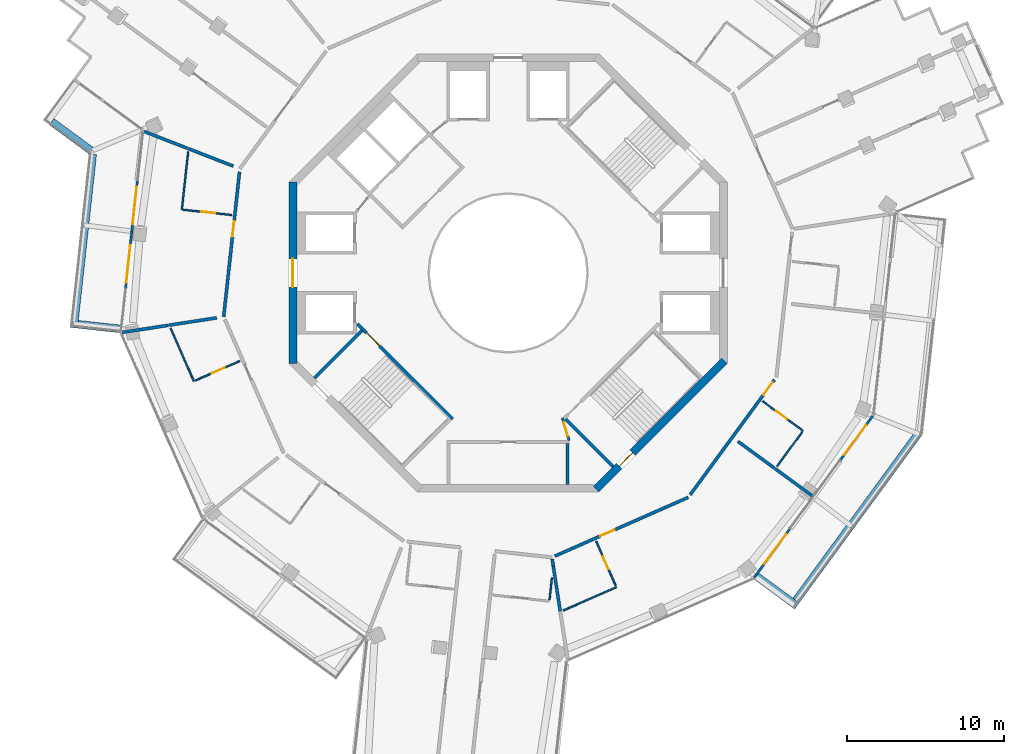
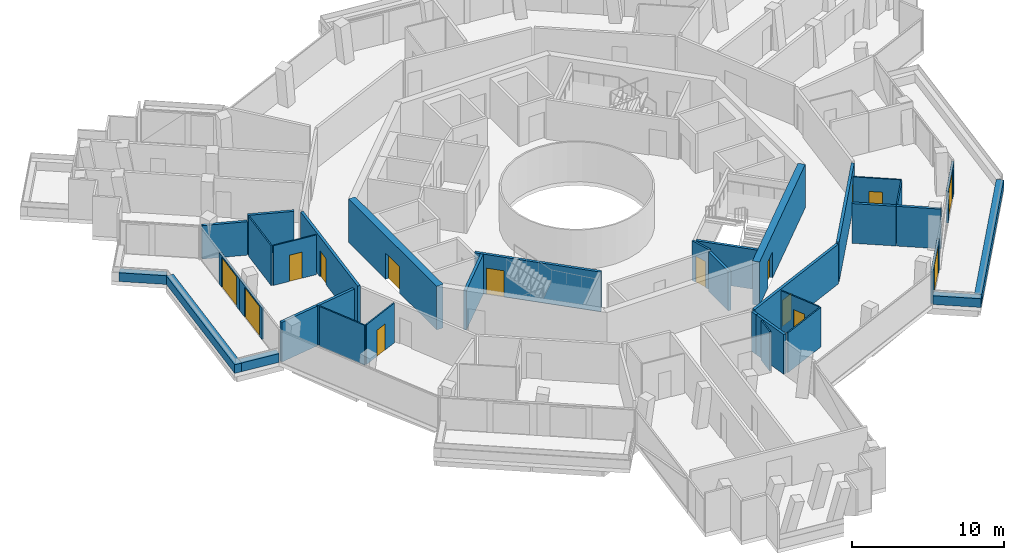
# One storey, part 16 of 22: 36 walls, 15 doors, 15 openings.
"""IFC4 building model written with IfcOpenShell, lengths in metres."""

import ifcopenshell
import ifcopenshell.guid

model = None  # the IFC model being written
_history = None  # IfcOwnerHistory: only IFC2X3 demands one
_inside = {}  # id of a spatial element -> (the spatial element, [elements in it])
_under = {}  # id of a project, library or spatial element -> (it, [spatial elements below it])
_declared = {}  # id of a project -> (the project, [libraries it declares])
_typed = {}  # id of a type object -> (the type object, [elements of that type])
_made_of = {}  # id of a material, layer set ... -> (it, [elements and type objects made of it])


def new_model(schema):
    """Start an empty IFC model of exactly this schema.

    Asked for "IFC4X3", IfcOpenShell would pick the latest addendum, in which some entities
    have other attributes; the version numbers below select the first issue.
    IFC2X3 requires an IfcOwnerHistory on every rooted entity: one is made here for all.
    """
    global model, _history
    if schema == "IFC4X3":
        model = ifcopenshell.file(schema_version=(4, 3, 0, 0))
    else:
        model = ifcopenshell.file(schema=schema)
    _inside.clear()
    _under.clear()
    _declared.clear()
    _typed.clear()
    _made_of.clear()
    _history = None
    if model.schema == "IFC2X3":
        org = make("IfcOrganization", Name="unknown")
        user = make(
            "IfcPersonAndOrganization",
            ThePerson=make("IfcPerson", FamilyName="unknown"),
            TheOrganization=org,
        )
        app = make(
            "IfcApplication",
            ApplicationDeveloper=org,
            Version="unknown",
            ApplicationFullName="unknown",
            ApplicationIdentifier="unknown",
        )
        _history = make(
            "IfcOwnerHistory",
            OwningUser=user,
            OwningApplication=app,
            ChangeAction="ADDED",
            CreationDate=0,
        )
    return model


def make(cls, **values):
    """One entity of the class cls with the attributes given. An attribute that is None is left unset."""
    return model.create_entity(
        cls, **{name: value for name, value in values.items() if value is not None}
    )


def rooted(cls, **values):
    """An entity with a GlobalId (a new one), such as an element, a storey or a relation."""
    return make(cls, GlobalId=ifcopenshell.guid.new(), OwnerHistory=_history, **values)


def si_unit(unit_type, name, prefix=None):
    """IfcSIUnit, for example si_unit("LENGTHUNIT", "METRE", prefix="MILLI")."""
    return make("IfcSIUnit", UnitType=unit_type, Prefix=prefix, Name=name)


def assignment(units):
    """IfcUnitAssignment: the units of a project."""
    return None if units is None else make("IfcUnitAssignment", Units=units)


def point(xyz):
    """IfcCartesianPoint."""
    return None if xyz is None else make("IfcCartesianPoint", Coordinates=xyz)


def direction(xyz):
    """IfcDirection."""
    return None if xyz is None else make("IfcDirection", DirectionRatios=xyz)


def frame(location, z_axis=None, x_axis=None):
    """IfcAxis2Placement3D, a coordinate frame: its origin and axes. An axis left out is left unset."""
    return make(
        "IfcAxis2Placement3D",
        Location=point(location),
        Axis=direction(z_axis),
        RefDirection=direction(x_axis),
    )


def frame_2d(location, x_axis=None):
    """IfcAxis2Placement2D, a coordinate frame in the plane: its origin and x axis."""
    return make(
        "IfcAxis2Placement2D", Location=point(location), RefDirection=direction(x_axis)
    )


def origin():
    """The frame at (0, 0, 0) with its axes left unset."""
    return frame((0.0, 0.0, 0.0))


def place(relative_to, where):
    """IfcLocalPlacement: puts the frame where relative to a parent placement (None: the world)."""
    return make(
        "IfcLocalPlacement", PlacementRelTo=relative_to, RelativePlacement=where
    )


def context(
    kind, dimensions, precision=None, world=None, true_north=None, identifier=None
):
    """IfcGeometricRepresentationContext, for example the 3D "Model" context."""
    return make(
        "IfcGeometricRepresentationContext",
        ContextIdentifier=identifier,
        ContextType=kind,
        CoordinateSpaceDimension=dimensions,
        Precision=precision,
        WorldCoordinateSystem=world,
        TrueNorth=true_north,
    )


def subcontext(parent, identifier, kind, view, scale=None):
    """IfcGeometricRepresentationSubContext, for example "Body" below "Model"."""
    return make(
        "IfcGeometricRepresentationSubContext",
        ContextIdentifier=identifier,
        ContextType=kind,
        ParentContext=parent,
        TargetScale=scale,
        TargetView=view,
    )


def project(units=None, contexts=None):
    """IfcProject with its units and contexts."""
    return rooted(
        "IfcProject",
        Name="project",
        RepresentationContexts=contexts,
        UnitsInContext=assignment(units),
    )


def spatial(cls, under=None, at=None, **own):
    """A site, building, storey or space (cls), placed at a placement, below another one or the project."""
    s = rooted(cls, ObjectPlacement=at, **own)
    if under is not None:
        _under.setdefault(under.id(), (under, []))[1].append(s)
    return s


def profile(cls, at=None, kind="AREA", **sizes):
    """A parametric profile (cls). Its sizes go by their IFC names, for example OverallWidth=200.0."""
    return make(cls, ProfileType=kind, Position=at, **sizes)


def rectangle(**sizes):
    """IfcRectangleProfileDef."""
    return profile("IfcRectangleProfileDef", **sizes)


def extrude(swept, where, along, depth):
    """IfcExtrudedAreaSolid: the profile swept, set in the frame where, extruded along a direction by depth."""
    return make(
        "IfcExtrudedAreaSolid",
        SweptArea=swept,
        Position=where,
        ExtrudedDirection=direction(along),
        Depth=depth,
    )


def shape(context_of_items, identifier, shape_type, items):
    """IfcShapeRepresentation: the items that make up one representation, for example the "Body"."""
    return make(
        "IfcShapeRepresentation",
        ContextOfItems=context_of_items,
        RepresentationIdentifier=identifier,
        RepresentationType=shape_type,
        Items=items,
    )


def material(Name=None, Category=None):
    """IfcMaterial."""
    return make("IfcMaterial", Name=Name, Category=Category)


def layer(
    of_material, thickness, ventilated=None, Name=None, Category=None, Priority=None
):
    """IfcMaterialLayer: one layer of a wall or slab, of a material (None: an air gap)."""
    return make(
        "IfcMaterialLayer",
        Material=of_material,
        LayerThickness=thickness,
        IsVentilated=ventilated,
        Name=Name,
        Category=Category,
        Priority=Priority,
    )


def layer_set(layers, Name=None):
    """IfcMaterialLayerSet."""
    return make("IfcMaterialLayerSet", MaterialLayers=layers, LayerSetName=Name)


def made_of(thing, what):
    """Note that an element or type object is made of a material, layer set ...; save() writes the relation."""
    if what is not None:
        _made_of.setdefault(what.id(), (what, []))[1].append(thing)
    return thing


def type_object(cls, material=None, **own):
    """A type object (cls), such as IfcWallType, which elements share."""
    return made_of(rooted(cls, **own), material)


def element(
    cls,
    number,
    at=None,
    inside=None,
    cuts=None,
    type_object=None,
    material=None,
    context=None,
    identifier="Body",
    shape_type=None,
    held_by="IfcProductDefinitionShape",
    body=None,
    shapes=None,
    **own,
):
    """One element of the class cls, such as IfcWall. Its Tag is "e" and its number.

    at: its placement. inside: the storey or other place that contains it. cuts: it is an
    opening in that element (IfcRelVoidsElement). A single representation is given by context,
    identifier, shape_type and body (its items); several are given by shapes. held_by: the class
    of the entity that holds the representations. save() writes the other relations.
    """
    e = rooted(cls, Tag="e%d" % number, ObjectPlacement=at, **own)
    if body is not None:
        shapes = [shape(context, identifier, shape_type, body)]
    if shapes is not None:
        e.Representation = make(held_by, Representations=shapes)
    if inside is not None:
        _inside.setdefault(inside.id(), (inside, []))[1].append(e)
    if cuts is not None:
        rooted(
            "IfcRelVoidsElement", RelatingBuildingElement=cuts, RelatedOpeningElement=e
        )
    if type_object is not None:
        _typed.setdefault(type_object.id(), (type_object, []))[1].append(e)
    return made_of(e, material)


def fill(opening, filler):
    """IfcRelFillsElement: the door or window that sits in an opening."""
    return rooted(
        "IfcRelFillsElement",
        RelatingOpeningElement=opening,
        RelatedBuildingElement=filler,
    )


def aggregate(whole, parts):
    """IfcRelAggregates: a whole, such as a stair, and the parts it consists of."""
    return rooted("IfcRelAggregates", RelatingObject=whole, RelatedObjects=parts)


def save(model, path):
    """Write the relations noted so far, then the file.

    IfcRelAggregates (storeys below a building ...), IfcRelContainedInSpatialStructure (elements
    in a storey), IfcRelDefinesByType, IfcRelAssociatesMaterial and IfcRelDeclares: one each for
    every whole, place, type object, material and project.
    """
    for whole, parts in _under.values():
        aggregate(whole, parts)
    for where, things in _inside.values():
        rooted(
            "IfcRelContainedInSpatialStructure",
            RelatedElements=things,
            RelatingStructure=where,
        )
    for kind, things in _typed.values():
        rooted("IfcRelDefinesByType", RelatedObjects=things, RelatingType=kind)
    for what, things in _made_of.values():
        rooted("IfcRelAssociatesMaterial", RelatedObjects=things, RelatingMaterial=what)
    for by, libraries in _declared.values():
        rooted("IfcRelDeclares", RelatingContext=by, RelatedDefinitions=libraries)
    model.write(path)


model = new_model("IFC4")

# Units and contexts
model_context = context("Model", 3, precision=1e-05, world=origin(), true_north=direction((0.0, 1.0)))
body_context = subcontext(model_context, "Body", "Model", "MODEL_VIEW")
ifc_project = project(units=[si_unit("LENGTHUNIT", "METRE"), si_unit("AREAUNIT", "SQUARE_METRE"), si_unit("VOLUMEUNIT", "CUBIC_METRE"), si_unit("PLANEANGLEUNIT", "RADIAN"), si_unit("MASSUNIT", "GRAM", prefix="KILO")], contexts=[model_context])

# Site, building, storey
site_placement = place(None, origin())
site = spatial("IfcSite", under=ifc_project, at=site_placement, CompositionType="ELEMENT")
building_placement = place(site_placement, origin())
building = spatial("IfcBuilding", under=site, at=building_placement, Name="Verdalira Terraces Hotel", CompositionType="ELEMENT")
storey_placement = place(building_placement, frame((0.0, 0.0, 252.5)))
storey = spatial("IfcBuildingStorey", under=building, at=storey_placement, Name="L62", CompositionType="ELEMENT", Elevation=252.5)

# Walls
ifc_material_1 = material(Name="Concrete C40", Category="concrete")
ifc_layer_1 = layer(ifc_material_1, 0.5)
ifc_layer_set_1 = layer_set([ifc_layer_1], Name="Balcony planter trough with tree")
wall_type_1 = type_object("IfcWallType", Name="Balcony planter trough with tree", PredefinedType="SOLIDWALL", material=ifc_layer_set_1)
wall_1_placement = place(storey_placement, frame((-29.166016, 9.661133, 0.0), z_axis=(0.0, 0.0, 1.0), x_axis=(0.806524032, -0.591201307, 0.0)))
element("IfcWall", 1, at=wall_1_placement, inside=storey, type_object=wall_type_1, Name="Balcony planter", PredefinedType="SOLIDWALL", context=body_context, shape_type="SweptSolid", body=[
    extrude(rectangle(XDim=3.129395, YDim=0.5, at=frame_2d((1.564697, 0.0))), origin(), (0.0, 0.0, 1.0), 0.699951),
])
wall_2_placement = place(storey_placement, frame((-26.541504, 7.582275, 0.0), z_axis=(0.0, 0.0, 1.0), x_axis=(-0.108689411, -0.994075758, 0.0)))
element("IfcWall", 2, at=wall_2_placement, inside=storey, type_object=wall_type_1, Name="Balcony planter", PredefinedType="SOLIDWALL", context=body_context, shape_type="SweptSolid", body=[
    extrude(rectangle(XDim=11.152588, YDim=0.5, at=frame_2d((5.576172, 0.0))), origin(), (0.0, 0.0, 1.0), 0.699951),
])
wall_3_placement = place(storey_placement, frame((-27.478027, -3.282715, 0.0), z_axis=(0.0, 0.0, 1.0), x_axis=(0.994071997, -0.108723798, 0.0)))
element("IfcWall", 3, at=wall_3_placement, inside=storey, type_object=wall_type_1, Name="Balcony planter", PredefinedType="SOLIDWALL", context=body_context, shape_type="SweptSolid", body=[
    extrude(rectangle(XDim=2.699219, YDim=0.5, at=frame_2d((1.349609, 0.0))), origin(), (0.0, 0.0, 1.0), 0.699951),
])
wall_4_placement = place(storey_placement, frame((15.871582, -19.382324, 0.0), z_axis=(0.0, 0.0, 1.0), x_axis=(0.806545701, -0.591171745, 0.0)))
element("IfcWall", 4, at=wall_4_placement, inside=storey, type_object=wall_type_1, Name="Balcony planter", PredefinedType="SOLIDWALL", context=body_context, shape_type="SweptSolid", body=[
    extrude(rectangle(XDim=3.198975, YDim=0.5, at=frame_2d((1.599609, 0.0))), origin(), (0.0, 0.0, 1.0), 0.699951),
])
wall_5_placement = place(storey_placement, frame((18.397705, -20.924072, 0.0), z_axis=(0.0, 0.0, 1.0), x_axis=(0.591166749, 0.806549363, 0.0)))
element("IfcWall", 5, at=wall_5_placement, inside=storey, type_object=wall_type_1, Name="Balcony planter", PredefinedType="SOLIDWALL", context=body_context, shape_type="SweptSolid", body=[
    extrude(rectangle(XDim=13.223633, YDim=0.5, at=frame_2d((6.611816, 0.0))), origin(), (0.0, 0.0, 1.0), 0.699951),
])
ifc_material_2 = material(Name="Moisture-resistant gypsum board partition")
ifc_layer_2 = layer(ifc_material_2, 0.10009765625)
ifc_layer_set_2 = layer_set([ifc_layer_2], Name="Bathroom partition 100 mm")
wall_type_2 = type_object("IfcWallType", Name="Bathroom partition 100 mm", PredefinedType="PARTITIONING", material=ifc_layer_set_2)
for number, where, z_axis, x_axis, name in (
    (6, (-20.073486, -6.915527, 0.0), (0.0, 0.0, 1.0), (-0.402913103, 0.915238238, 0.0), "Bathroom partition"),
    (7, (-20.841797, 4.047607, 0.0), (0.0, 0.0, 1.0), (0.108687919, 0.994075921, 0.0), "Bathroom partition"),
):
    element("IfcWall", number, at=place(storey_placement, frame(where, z_axis=z_axis, x_axis=x_axis)), inside=storey, type_object=wall_type_2, Name=name, PredefinedType="PARTITIONING", context=body_context, shape_type="SweptSolid", body=[
        extrude(rectangle(XDim=3.704102, YDim=0.100098, at=frame_2d((1.852051, 0.0))), origin(), (0.0, 0.0, 1.0), 3.189941),
    ])

# Wall, opening, door
wall_6_placement = place(storey_placement, frame((-20.742432, 4.036865, 0.0), z_axis=(0.0, 0.0, 1.0), x_axis=(0.994076213, -0.108685246, 0.0)))
wall_6 = element("IfcWall", 8, at=wall_6_placement, inside=storey, type_object=wall_type_2, Name="Bathroom partition", PredefinedType="PARTITIONING", context=body_context, shape_type="SweptSolid", body=[
    extrude(rectangle(XDim=3.099854, YDim=0.100098, at=frame_2d((1.549805, 0.0))), origin(), (0.0, 0.0, 1.0), 3.189941),
])
opening_1_placement = place(wall_6_placement, frame((1.149902, 0.0, 0.0)))
opening_1 = element("IfcOpeningElement", 9, at=opening_1_placement, cuts=wall_6, Name="Opening L62-105", PredefinedType="OPENING", context=body_context, shape_type="SweptSolid", body=[
    extrude(rectangle(XDim=0.899902, YDim=2.100098, at=frame_2d((0.449951, 1.050049))), frame((0.0, 0.060059, 0.0), z_axis=(0.0, -1.0, 0.0), x_axis=(1.0, 0.0, 0.0)), (0.0, 0.0, 1.0), 0.120117),
])
ifc_material_3 = material(Name="Timber door", Category="wood")
door_type_1 = type_object("IfcDoorType", Name="Bathroom door 900 x 2100", OperationType="NOTDEFINED", PredefinedType="DOOR", material=ifc_material_3)
door_1_placement = place(opening_1_placement, origin())
door_1 = element("IfcDoor", 10, at=door_1_placement, inside=storey, type_object=door_type_1, Name="Bathroom door 6202", OperationType="SINGLE_SWING_LEFT", OverallHeight=2.10009765625, OverallWidth=0.89990234375, PredefinedType="DOOR", context=body_context, shape_type="SweptSolid", body=[
    extrude(rectangle(XDim=0.899902, YDim=2.100098, at=frame_2d((0.449951, 1.050049))), frame((0.0, 0.024902, 0.0), z_axis=(0.0, -1.0, 0.0), x_axis=(1.0, 0.0, 0.0)), (0.0, 0.0, 1.0), 0.050049),
])
fill(opening_1, door_1)

wall_7_placement = place(storey_placement, frame((-19.981934, -6.875244, 0.0), z_axis=(0.0, 0.0, 1.0), x_axis=(0.915247669, 0.402891678, 0.0)))
wall_7 = element("IfcWall", 11, at=wall_7_placement, inside=storey, type_object=wall_type_2, Name="Bathroom partition", PredefinedType="PARTITIONING", context=body_context, shape_type="SweptSolid", body=[
    extrude(rectangle(XDim=3.100098, YDim=0.100098, at=frame_2d((1.550049, 0.0))), origin(), (0.0, 0.0, 1.0), 3.189941),
])
opening_2_placement = place(wall_7_placement, frame((1.149902, 0.0, 0.0)))
opening_2 = element("IfcOpeningElement", 12, at=opening_2_placement, cuts=wall_7, Name="Opening L62-107", PredefinedType="OPENING", context=body_context, shape_type="SweptSolid", body=[
    extrude(rectangle(XDim=0.899902, YDim=2.100098, at=frame_2d((0.449951, 1.050049))), frame((0.0, 0.060059, 0.0), z_axis=(0.0, -1.0, 0.0), x_axis=(1.0, 0.0, 0.0)), (0.0, 0.0, 1.0), 0.120117),
])
door_2_placement = place(opening_2_placement, origin())
door_2 = element("IfcDoor", 13, at=door_2_placement, inside=storey, type_object=door_type_1, Name="Bathroom door 6203", OperationType="SINGLE_SWING_LEFT", OverallHeight=2.10009765625, OverallWidth=0.89990234375, PredefinedType="DOOR", context=body_context, shape_type="SweptSolid", body=[
    extrude(rectangle(XDim=0.899902, YDim=2.100098, at=frame_2d((0.449951, 1.050049))), frame((0.0, 0.024902, 0.0), z_axis=(0.0, -1.0, 0.0), x_axis=(1.0, 0.0, 0.0)), (0.0, 0.0, 1.0), 0.050049),
])
fill(opening_2, door_2)

# Walls
wall_8_placement = place(storey_placement, frame((2.799316, -19.479492, 0.0), z_axis=(0.0, 0.0, 1.0), x_axis=(-0.108764329, -0.994067563, 0.0)))
element("IfcWall", 14, at=wall_8_placement, inside=storey, type_object=wall_type_2, Name="Bathroom partition", PredefinedType="PARTITIONING", context=body_context, shape_type="SweptSolid", body=[
    extrude(rectangle(XDim=1.398438, YDim=0.100098, at=frame_2d((0.699219, 0.0))), origin(), (0.0, 0.0, 1.0), 3.189941),
])
wall_9_placement = place(storey_placement, frame((6.915527, -20.073486, 0.0), z_axis=(0.0, 0.0, 1.0), x_axis=(-0.915238238, -0.402913103, 0.0)))
element("IfcWall", 15, at=wall_9_placement, inside=storey, type_object=wall_type_2, Name="Bathroom partition", PredefinedType="PARTITIONING", context=body_context, shape_type="SweptSolid", body=[
    extrude(rectangle(XDim=3.704102, YDim=0.100098, at=frame_2d((1.852051, 0.0))), origin(), (0.0, 0.0, 1.0), 3.189941),
])

# Wall, opening, door
wall_10_placement = place(storey_placement, frame((6.875244, -19.981934, 0.0), z_axis=(0.0, 0.0, 1.0), x_axis=(-0.402891678, 0.915247669, 0.0)))
wall_10 = element("IfcWall", 16, at=wall_10_placement, inside=storey, type_object=wall_type_2, Name="Bathroom partition", PredefinedType="PARTITIONING", context=body_context, shape_type="SweptSolid", body=[
    extrude(rectangle(XDim=3.100098, YDim=0.100098, at=frame_2d((1.550049, 0.0))), origin(), (0.0, 0.0, 1.0), 3.189941),
])
opening_3_placement = place(wall_10_placement, frame((1.149902, 0.0, 0.0)))
opening_3 = element("IfcOpeningElement", 17, at=opening_3_placement, cuts=wall_10, Name="Opening L62-115", PredefinedType="OPENING", context=body_context, shape_type="SweptSolid", body=[
    extrude(rectangle(XDim=0.899902, YDim=2.100098, at=frame_2d((0.449951, 1.050049))), frame((0.0, 0.060059, 0.0), z_axis=(0.0, -1.0, 0.0), x_axis=(1.0, 0.0, 0.0)), (0.0, 0.0, 1.0), 0.120117),
])
door_3_placement = place(opening_3_placement, origin())
door_3 = element("IfcDoor", 18, at=door_3_placement, inside=storey, type_object=door_type_1, Name="Bathroom door 6207", OperationType="SINGLE_SWING_LEFT", OverallHeight=2.10009765625, OverallWidth=0.89990234375, PredefinedType="DOOR", context=body_context, shape_type="SweptSolid", body=[
    extrude(rectangle(XDim=0.899902, YDim=2.100098, at=frame_2d((0.449951, 1.050049))), frame((0.0, 0.024902, 0.0), z_axis=(0.0, -1.0, 0.0), x_axis=(1.0, 0.0, 0.0)), (0.0, 0.0, 1.0), 0.050049),
])
fill(opening_3, door_3)

wall_11_placement = place(storey_placement, frame((18.838623, -10.088379, 0.0), z_axis=(0.0, 0.0, 1.0), x_axis=(-0.806552937, 0.591161873, 0.0)))
wall_11 = element("IfcWall", 19, at=wall_11_placement, inside=storey, type_object=wall_type_2, Name="Bathroom partition", PredefinedType="PARTITIONING", context=body_context, shape_type="SweptSolid", body=[
    extrude(rectangle(XDim=3.199707, YDim=0.100098, at=frame_2d((1.599854, 0.0))), origin(), (0.0, 0.0, 1.0), 3.189941),
])
opening_4_placement = place(wall_11_placement, frame((1.25, 0.0, 0.0)))
opening_4 = element("IfcOpeningElement", 20, at=opening_4_placement, cuts=wall_11, Name="Opening L62-117", PredefinedType="OPENING", context=body_context, shape_type="SweptSolid", body=[
    extrude(rectangle(XDim=0.899902, YDim=2.100098, at=frame_2d((0.449951, 1.050049))), frame((0.0, 0.060059, 0.0), z_axis=(0.0, -1.0, 0.0), x_axis=(1.0, 0.0, 0.0)), (0.0, 0.0, 1.0), 0.120117),
])
door_4_placement = place(opening_4_placement, origin())
door_4 = element("IfcDoor", 21, at=door_4_placement, inside=storey, type_object=door_type_1, Name="Bathroom door 6208", OperationType="SINGLE_SWING_LEFT", OverallHeight=2.10009765625, OverallWidth=0.89990234375, PredefinedType="DOOR", context=body_context, shape_type="SweptSolid", body=[
    extrude(rectangle(XDim=0.899902, YDim=2.100098, at=frame_2d((0.449951, 1.050049))), frame((0.0, 0.024902, 0.0), z_axis=(0.0, -1.0, 0.0), x_axis=(1.0, 0.0, 0.0)), (0.0, 0.0, 1.0), 0.050049),
])
fill(opening_4, door_4)

# Walls
wall_12_placement = place(storey_placement, frame((18.779541, -10.169189, 0.0), z_axis=(0.0, 0.0, 1.0), x_axis=(-0.591210764, -0.8065171, 0.0)))
element("IfcWall", 22, at=wall_12_placement, inside=storey, type_object=wall_type_2, Name="Bathroom partition", PredefinedType="PARTITIONING", context=body_context, shape_type="SweptSolid", body=[
    extrude(rectangle(XDim=2.699951, YDim=0.100098, at=frame_2d((1.350098, 0.0))), origin(), (0.0, 0.0, 1.0), 3.189941),
])
ifc_material_4 = material(Name="Concrete C50", Category="concrete")
ifc_layer_3 = layer(ifc_material_4, 0.199951171875)
ifc_layer_set_3 = layer_set([ifc_layer_3], Name="Core RC wall 200 C50")
wall_type_3 = type_object("IfcWallType", Name="Core RC wall 200 C50", PredefinedType="SOLIDWALL", material=ifc_layer_set_3)
wall_13_placement = place(storey_placement, frame((3.800049, -10.899902, 0.0), z_axis=(0.0, 0.0, 1.0), x_axis=(0.0, -1.0, 0.0)))
element("IfcWall", 23, at=wall_13_placement, inside=storey, type_object=wall_type_3, Name="L62 store side wall", PredefinedType="SOLIDWALL", context=body_context, shape_type="SweptSolid", body=[
    extrude(rectangle(XDim=2.600098, YDim=0.199951, at=frame_2d((1.300049, 0.0))), origin(), (0.0, 0.0, 1.0), 3.189941),
])

# Wall, opening, door
wall_14_placement = place(storey_placement, frame((-3.5354, -9.33374, 0.0), z_axis=(0.0, 0.0, 1.0), x_axis=(-0.707120946, 0.707092617, 0.0)))
wall_14 = element("IfcWall", 24, at=wall_14_placement, inside=storey, type_object=wall_type_3, Name="L62 stair ST2 front wall", PredefinedType="SOLIDWALL", context=body_context, shape_type="SweptSolid", body=[
    extrude(rectangle(XDim=8.61792, YDim=0.199951, at=frame_2d((4.309082, 0.0))), origin(), (0.0, 0.0, 1.0), 3.189941),
])
opening_5_placement = place(wall_14_placement, frame((6.600098, 0.0, 0.0)))
opening_5 = element("IfcOpeningElement", 25, at=opening_5_placement, cuts=wall_14, Name="Opening L62-811", PredefinedType="OPENING", context=body_context, shape_type="SweptSolid", body=[
    extrude(rectangle(XDim=1.199951, YDim=2.100098, at=frame_2d((0.600098, 1.050049))), frame((0.0, 0.109863, 0.0), z_axis=(0.0, -1.0, 0.0), x_axis=(1.0, 0.0, 0.0)), (0.0, 0.0, 1.0), 0.219971),
])
ifc_material_5 = material(Name="Steel fire door", Category="steel")
door_type_2 = type_object("IfcDoorType", Name="Stair door 1200 x 2100", OperationType="NOTDEFINED", PredefinedType="DOOR", material=ifc_material_5)
door_5_placement = place(opening_5_placement, origin())
door_5 = element("IfcDoor", 26, at=door_5_placement, inside=storey, type_object=door_type_2, Name="Stair door ST2 L62", OperationType="SINGLE_SWING_RIGHT", OverallHeight=2.10009765625, OverallWidth=1.199951171875, PredefinedType="DOOR", context=body_context, shape_type="SweptSolid", body=[
    extrude(rectangle(XDim=1.199951, YDim=2.100098, at=frame_2d((0.600098, 1.050049))), frame((0.0, 0.024902, 0.0), z_axis=(0.0, -1.0, 0.0), x_axis=(1.0, 0.0, 0.0)), (0.0, 0.0, 1.0), 0.050049),
])
fill(opening_5, door_5)

# Walls
for number, where, z_axis, x_axis, name in (
    (27, (-9.33374, -3.677002, 0.0), (0.0, 0.0, 1.0), (-0.707135168, -0.707078393, 0.0), "L62 stair ST2 end wall 1"),
    (28, (3.677002, -9.33374, 0.0), (0.0, 0.0, 1.0), (0.707078393, -0.707135168, 0.0), "L62 stair ST3 end wall 1"),
):
    element("IfcWall", number, at=place(storey_placement, frame(where, z_axis=z_axis, x_axis=x_axis)), inside=storey, type_object=wall_type_3, Name=name, PredefinedType="SOLIDWALL", context=body_context, shape_type="SweptSolid", body=[
        extrude(rectangle(XDim=4.300049, YDim=0.199951, at=frame_2d((2.149902, 0.0))), origin(), (0.0, 0.0, 1.0), 3.189941),
    ])

# Wall, opening, door
ifc_material_6 = material(Name="Gypsum board partition")
ifc_layer_4 = layer(ifc_material_6, 0.14990234375)
ifc_layer_set_4 = layer_set([ifc_layer_4], Name="Core partition 150 mm")
wall_type_4 = type_object("IfcWallType", Name="Core partition 150 mm", PredefinedType="PARTITIONING", material=ifc_layer_set_4)
wall_15_placement = place(storey_placement, frame((3.899902, -10.699951, 0.0), z_axis=(0.0, 0.0, 1.0), x_axis=(-0.289808785, 0.957084567, 0.0)))
wall_15 = element("IfcWall", 29, at=wall_15_placement, inside=storey, type_object=wall_type_4, Name="Room partition L62", PredefinedType="PARTITIONING", context=body_context, shape_type="SweptSolid", body=[
    extrude(rectangle(XDim=1.501221, YDim=0.149902, at=frame_2d((0.750488, 0.0))), origin(), (0.0, 0.0, 1.0), 3.189941),
])
opening_6_placement = place(wall_15_placement, frame((0.300781, 0.0, 0.0)))
opening_6 = element("IfcOpeningElement", 30, at=opening_6_placement, cuts=wall_15, Name="Opening L62-822", PredefinedType="OPENING", context=body_context, shape_type="SweptSolid", body=[
    extrude(rectangle(XDim=0.899902, YDim=2.100098, at=frame_2d((0.449951, 1.050049))), frame((0.0, 0.084961, 0.0), z_axis=(0.0, -1.0, 0.0), x_axis=(1.0, 0.0, 0.0)), (0.0, 0.0, 1.0), 0.169922),
])
ifc_material_7 = material(Name="Steel fire door", Category="steel")
door_type_3 = type_object("IfcDoorType", Name="Core room door 900 x 2100", OperationType="NOTDEFINED", PredefinedType="DOOR", material=ifc_material_7)
door_6_placement = place(opening_6_placement, origin())
door_6 = element("IfcDoor", 31, at=door_6_placement, inside=storey, type_object=door_type_3, Name="Door L62 room6", OperationType="SINGLE_SWING_LEFT", OverallHeight=2.10009765625, OverallWidth=0.89990234375, PredefinedType="DOOR", context=body_context, shape_type="SweptSolid", body=[
    extrude(rectangle(XDim=0.899902, YDim=2.100098, at=frame_2d((0.449951, 1.050049))), frame((0.0, 0.024902, 0.0), z_axis=(0.0, -1.0, 0.0), x_axis=(1.0, 0.0, 0.0)), (0.0, 0.0, 1.0), 0.050049),
])
fill(opening_6, door_6)

ifc_material_8 = material(Name="Concrete C50", Category="concrete")
ifc_layer_5 = layer(ifc_material_8, 0.5)
ifc_layer_set_5 = layer_set([ifc_layer_5], Name="Core wall 500 C50")
wall_type_5 = type_object("IfcWallType", Name="Core wall 500 C50", PredefinedType="SHEAR", material=ifc_layer_set_5)
wall_16_placement = place(storey_placement, frame((-13.75, 5.799072, 0.0), z_axis=(0.0, 0.0, 1.0), x_axis=(0.0, -1.0, 0.0)))
wall_16 = element("IfcWall", 32, at=wall_16_placement, inside=storey, type_object=wall_type_5, Name="Core wall CW-L62-5", PredefinedType="SHEAR", context=body_context, shape_type="SweptSolid", body=[
    extrude(rectangle(XDim=11.598145, YDim=0.5, at=frame_2d((5.799072, 0.0))), origin(), (0.0, 0.0, 1.0), 3.5),
])
opening_7_placement = place(wall_16_placement, frame((4.898926, 0.0, 0.0)))
opening_7 = element("IfcOpeningElement", 33, at=opening_7_placement, cuts=wall_16, Name="Opening L62-815", PredefinedType="OPENING", context=body_context, shape_type="SweptSolid", body=[
    extrude(rectangle(XDim=1.800049, YDim=2.100098, at=frame_2d((0.899902, 1.050049))), frame((0.0, 0.26001, 0.0), z_axis=(0.0, -1.0, 0.0), x_axis=(1.0, 0.0, 0.0)), (0.0, 0.0, 1.0), 0.52002),
])
ifc_material_9 = material(Name="Steel fire door", Category="steel")
door_type_4 = type_object("IfcDoorType", Name="Core entry door pair 1800 x 2100", OperationType="NOTDEFINED", PredefinedType="DOOR", material=ifc_material_9)
door_7_placement = place(opening_7_placement, origin())
door_7 = element("IfcDoor", 34, at=door_7_placement, inside=storey, type_object=door_type_4, Name="Core entry door L62 4", OperationType="DOUBLE_DOOR_SINGLE_SWING", OverallHeight=2.10009765625, OverallWidth=1.800048828125, PredefinedType="DOOR", context=body_context, shape_type="SweptSolid", body=[
    extrude(rectangle(XDim=1.800049, YDim=2.100098, at=frame_2d((0.899902, 1.050049))), frame((0.0, 0.024902, 0.0), z_axis=(0.0, -1.0, 0.0), x_axis=(1.0, 0.0, 0.0)), (0.0, 0.0, 1.0), 0.050049),
])
fill(opening_7, door_7)

wall_17_placement = place(storey_placement, frame((5.622314, -13.823242, 0.0), z_axis=(0.0, 0.0, 1.0), x_axis=(0.707106781, 0.707106781, 0.0)))
wall_17 = element("IfcWall", 35, at=wall_17_placement, inside=storey, type_object=wall_type_5, Name="Core wall CW-L62-8", PredefinedType="SHEAR", context=body_context, shape_type="SweptSolid", body=[
    extrude(rectangle(XDim=11.5979, YDim=0.5, at=frame_2d((5.798828, 0.0))), origin(), (0.0, 0.0, 1.0), 3.5),
])
opening_8_placement = place(wall_17_placement, frame((2.099121, 0.0, 0.0)))
opening_8 = element("IfcOpeningElement", 36, at=opening_8_placement, cuts=wall_17, Name="Opening L62-818", PredefinedType="OPENING", context=body_context, shape_type="SweptSolid", body=[
    extrude(rectangle(XDim=1.199951, YDim=2.100098, at=frame_2d((0.600098, 1.050049))), frame((0.0, 0.26001, 0.0), z_axis=(0.0, -1.0, 0.0), x_axis=(1.0, 0.0, 0.0)), (0.0, 0.0, 1.0), 0.52002),
])
door_8_placement = place(opening_8_placement, origin())
door_8 = element("IfcDoor", 37, at=door_8_placement, inside=storey, type_object=door_type_2, Name="Stair exit door ST3 L62", OperationType="SINGLE_SWING_LEFT", OverallHeight=2.10009765625, OverallWidth=1.199951171875, PredefinedType="DOOR", context=body_context, shape_type="SweptSolid", body=[
    extrude(rectangle(XDim=1.199951, YDim=2.100098, at=frame_2d((0.600098, 1.050049))), frame((0.0, 0.024902, 0.0), z_axis=(0.0, -1.0, 0.0), x_axis=(1.0, 0.0, 0.0)), (0.0, 0.0, 1.0), 0.050049),
])
fill(opening_8, door_8)

# Walls
ifc_material_10 = material(Name="Fire-rated gypsum board wall")
ifc_layer_6 = layer(ifc_material_10, 0.199951171875)
ifc_layer_set_6 = layer_set([ifc_layer_6], Name="Demising wall 200 mm")
wall_type_6 = type_object("IfcWallType", Name="Demising wall 200 mm", PredefinedType="SOLIDWALL", material=ifc_layer_set_6)
wall_18_placement = place(storey_placement, frame((-21.696533, -3.343262, 0.0), z_axis=(0.0, 0.0, 1.0), x_axis=(-0.988329484, -0.152331318, 0.0)))
element("IfcWall", 38, at=wall_18_placement, inside=storey, type_object=wall_type_6, Name="Demising wall", PredefinedType="SOLIDWALL", context=body_context, shape_type="SweptSolid", body=[
    extrude(rectangle(XDim=3.011475, YDim=0.199951, at=frame_2d((1.505859, 0.0))), origin(), (0.0, 0.0, 1.0), 3.189941),
])
for number, where, z_axis, x_axis, name in (
    (39, (-18.612305, -2.86792, 0.0), (0.0, 0.0, 1.0), (-0.98833495, -0.152295849, 0.0), "Demising wall"),
    (40, (-17.552734, 6.82251, 0.0), (0.0, 0.0, 1.0), (-0.932089582, 0.362227845, 0.0), "Demising wall"),
):
    element("IfcWall", number, at=place(storey_placement, frame(where, z_axis=z_axis, x_axis=x_axis)), inside=storey, type_object=wall_type_6, Name=name, PredefinedType="SOLIDWALL", context=body_context, shape_type="SweptSolid", body=[
        extrude(rectangle(XDim=3.074707, YDim=0.199951, at=frame_2d((1.537354, 0.0))), origin(), (0.0, 0.0, 1.0), 3.189941),
    ])
wall_19_placement = place(storey_placement, frame((2.815674, -18.272705, 0.0), z_axis=(0.0, 0.0, 1.0), x_axis=(0.152429332, -0.988314372, 0.0)))
element("IfcWall", 41, at=wall_19_placement, inside=storey, type_object=wall_type_6, Name="Demising wall", PredefinedType="SOLIDWALL", context=body_context, shape_type="SweptSolid", body=[
    extrude(rectangle(XDim=0.443604, YDim=0.199951, at=frame_2d((0.22168, 0.0))), origin(), (0.0, 0.0, 1.0), 3.189941),
])
wall_20_placement = place(storey_placement, frame((2.883301, -18.711182, 0.0), z_axis=(0.0, 0.0, 1.0), x_axis=(0.152257906, -0.988340796, 0.0)))
element("IfcWall", 42, at=wall_20_placement, inside=storey, type_object=wall_type_6, Name="Demising wall", PredefinedType="SOLIDWALL", context=body_context, shape_type="SweptSolid", body=[
    extrude(rectangle(XDim=2.924805, YDim=0.199951, at=frame_2d((1.462402, 0.0))), origin(), (0.0, 0.0, 1.0), 3.189941),
])
wall_21_placement = place(storey_placement, frame((14.683594, -10.762695, 0.0), z_axis=(0.0, 0.0, 1.0), x_axis=(0.806597338, -0.59110129, 0.0)))
element("IfcWall", 43, at=wall_21_placement, inside=storey, type_object=wall_type_6, Name="Demising wall", PredefinedType="SOLIDWALL", context=body_context, shape_type="SweptSolid", body=[
    extrude(rectangle(XDim=2.904785, YDim=0.199951, at=frame_2d((1.452393, 0.0))), origin(), (0.0, 0.0, 1.0), 3.189941),
])
wall_22_placement = place(storey_placement, frame((17.063721, -12.50708, 0.0), z_axis=(0.0, 0.0, 1.0), x_axis=(0.806541701, -0.591177202, 0.0)))
element("IfcWall", 44, at=wall_22_placement, inside=storey, type_object=wall_type_6, Name="Demising wall", PredefinedType="SOLIDWALL", context=body_context, shape_type="SweptSolid", body=[
    extrude(rectangle(XDim=2.951904, YDim=0.199951, at=frame_2d((1.476074, 0.0))), origin(), (0.0, 0.0, 1.0), 3.189941),
])
ifc_material_11 = material(Name="Fire-rated gypsum board wall")
ifc_layer_7 = layer(ifc_material_11, 0.199951171875)
ifc_layer_set_7 = layer_set([ifc_layer_7], Name="Demising wall 200 mm to beam soffit")
wall_type_7 = type_object("IfcWallType", Name="Demising wall 200 mm to beam soffit", PredefinedType="SOLIDWALL", material=ifc_layer_set_7)
wall_23_placement = place(storey_placement, frame((-20.461426, 7.952881, 0.0), z_axis=(0.0, 0.0, 1.0), x_axis=(-0.932060953, 0.362301505, 0.0)))
element("IfcWall", 45, at=wall_23_placement, inside=storey, type_object=wall_type_7, Name="Demising wall", PredefinedType="SOLIDWALL", context=body_context, shape_type="SweptSolid", body=[
    extrude(rectangle(XDim=3.011475, YDim=0.199951, at=frame_2d((1.505859, 0.0))), origin(), (0.0, 0.0, 1.0), 2.689941),
])

# Wall, opening, door
ifc_material_12 = material(Name="Fire-rated gypsum board wall")
ifc_layer_8 = layer(ifc_material_12, 0.199951171875)
ifc_layer_set_8 = layer_set([ifc_layer_8], Name="Guest corridor wall 200 mm")
wall_type_8 = type_object("IfcWallType", Name="Guest corridor wall 200 mm", PredefinedType="SOLIDWALL", material=ifc_layer_set_8)
wall_24_placement = place(storey_placement, frame((-18.17041, -2.799805, 0.0), z_axis=(0.0, 0.0, 1.0), x_axis=(0.108699886, 0.994074612, 0.0)))
wall_24 = element("IfcWall", 46, at=wall_24_placement, inside=storey, type_object=wall_type_8, Name="Guest corridor wall", PredefinedType="SOLIDWALL", context=body_context, shape_type="SweptSolid", body=[
    extrude(rectangle(XDim=9.316406, YDim=0.199951, at=frame_2d((4.658203, 0.0))), origin(), (0.0, 0.0, 1.0), 3.189941),
])
opening_9_placement = place(wall_24_placement, frame((5.149902, 0.0, 0.0)))
opening_9 = element("IfcOpeningElement", 47, at=opening_9_placement, cuts=wall_24, Name="Opening L62-104", PredefinedType="OPENING", context=body_context, shape_type="SweptSolid", body=[
    extrude(rectangle(XDim=1.0, YDim=2.100098, at=frame_2d((0.5, 1.050049))), frame((0.0, 0.109863, 0.0), z_axis=(0.0, -1.0, 0.0), x_axis=(1.0, 0.0, 0.0)), (0.0, 0.0, 1.0), 0.219971),
])
ifc_material_13 = material(Name="Timber fire door", Category="wood")
door_type_5 = type_object("IfcDoorType", Name="Guest entry door 1000 x 2100", OperationType="NOTDEFINED", PredefinedType="DOOR", material=ifc_material_13)
door_9_placement = place(opening_9_placement, origin())
door_9 = element("IfcDoor", 48, at=door_9_placement, inside=storey, type_object=door_type_5, Name="Guest entry door 6202", OperationType="SINGLE_SWING_LEFT", OverallHeight=2.10009765625, OverallWidth=1.0, PredefinedType="DOOR", context=body_context, shape_type="SweptSolid", body=[
    extrude(rectangle(XDim=1.0, YDim=2.100098, at=frame_2d((0.5, 1.050049))), frame((0.0, 0.024902, 0.0), z_axis=(0.0, -1.0, 0.0), x_axis=(1.0, 0.0, 0.0)), (0.0, 0.0, 1.0), 0.050049),
])
fill(opening_9, door_9)

wall_25_placement = place(storey_placement, frame((11.509521, -14.336182, 0.0), z_axis=(0.0, 0.0, 1.0), x_axis=(-0.915247397, -0.402892297, 0.0)))
wall_25 = element("IfcWall", 49, at=wall_25_placement, inside=storey, type_object=wall_type_8, Name="Guest corridor wall", PredefinedType="SOLIDWALL", context=body_context, shape_type="SweptSolid", body=[
    extrude(rectangle(XDim=9.316162, YDim=0.199951, at=frame_2d((4.658203, 0.0))), origin(), (0.0, 0.0, 1.0), 3.189941),
])
opening_10_placement = place(wall_25_placement, frame((5.149902, 0.0, 0.0)))
opening_10 = element("IfcOpeningElement", 50, at=opening_10_placement, cuts=wall_25, Name="Opening L62-114", PredefinedType="OPENING", context=body_context, shape_type="SweptSolid", body=[
    extrude(rectangle(XDim=1.0, YDim=2.100098, at=frame_2d((0.5, 1.050049))), frame((0.0, 0.109863, 0.0), z_axis=(0.0, -1.0, 0.0), x_axis=(1.0, 0.0, 0.0)), (0.0, 0.0, 1.0), 0.219971),
])
door_10_placement = place(opening_10_placement, origin())
door_10 = element("IfcDoor", 51, at=door_10_placement, inside=storey, type_object=door_type_5, Name="Guest entry door 6207", OperationType="SINGLE_SWING_LEFT", OverallHeight=2.10009765625, OverallWidth=1.0, PredefinedType="DOOR", context=body_context, shape_type="SweptSolid", body=[
    extrude(rectangle(XDim=1.0, YDim=2.100098, at=frame_2d((0.5, 1.050049))), frame((0.0, 0.024902, 0.0), z_axis=(0.0, -1.0, 0.0), x_axis=(1.0, 0.0, 0.0)), (0.0, 0.0, 1.0), 0.050049),
])
fill(opening_10, door_10)

wall_26_placement = place(storey_placement, frame((17.017334, -6.822021, 0.0), z_axis=(0.0, 0.0, 1.0), x_axis=(-0.591166262, -0.80654972, 0.0)))
wall_26 = element("IfcWall", 52, at=wall_26_placement, inside=storey, type_object=wall_type_8, Name="Guest corridor wall", PredefinedType="SOLIDWALL", context=body_context, shape_type="SweptSolid", body=[
    extrude(rectangle(XDim=9.115723, YDim=0.199951, at=frame_2d((4.557861, 0.0))), origin(), (0.0, 0.0, 1.0), 3.189941),
])
opening_11_placement = place(wall_26_placement, frame((0.199951, 0.0, 0.0)))
opening_11 = element("IfcOpeningElement", 53, at=opening_11_placement, cuts=wall_26, Name="Opening L62-116", PredefinedType="OPENING", context=body_context, shape_type="SweptSolid", body=[
    extrude(rectangle(XDim=1.0, YDim=2.100098, at=frame_2d((0.5, 1.050049))), frame((0.0, 0.109863, 0.0), z_axis=(0.0, -1.0, 0.0), x_axis=(1.0, 0.0, 0.0)), (0.0, 0.0, 1.0), 0.219971),
])
door_11_placement = place(opening_11_placement, origin())
door_11 = element("IfcDoor", 54, at=door_11_placement, inside=storey, type_object=door_type_5, Name="Guest entry door 6208", OperationType="SINGLE_SWING_LEFT", OverallHeight=2.10009765625, OverallWidth=1.0, PredefinedType="DOOR", context=body_context, shape_type="SweptSolid", body=[
    extrude(rectangle(XDim=1.0, YDim=2.100098, at=frame_2d((0.5, 1.050049))), frame((0.0, 0.024902, 0.0), z_axis=(0.0, -1.0, 0.0), x_axis=(1.0, 0.0, 0.0)), (0.0, 0.0, 1.0), 0.050049),
])
fill(opening_11, door_11)

ifc_material_14 = material(Name="Terracotta cladding", Category="masonry")
ifc_layer_9 = layer(ifc_material_14, 0.14990234375)
ifc_layer_set_9 = layer_set([ifc_layer_9], Name="Terracotta door pier 150")
wall_type_9 = type_object("IfcWallType", Name="Terracotta door pier 150", PredefinedType="SOLIDWALL", material=ifc_layer_set_9)
wall_27_placement = place(storey_placement, frame((-23.681396, 5.908936, 0.0), z_axis=(0.0, 0.0, 1.0), x_axis=(-0.108685466, -0.994076189, 0.0)))
wall_27 = element("IfcWall", 55, at=wall_27_placement, inside=storey, type_object=wall_type_9, Name="Terracotta door pier", PredefinedType="SOLIDWALL", context=body_context, shape_type="SweptSolid", body=[
    extrude(rectangle(XDim=3.299805, YDim=0.149902, at=frame_2d((1.649902, 0.0))), origin(), (0.0, 0.0, 1.0), 2.524902),
])
opening_12_placement = place(wall_27_placement, frame((0.399902, 0.0, 0.0)))
opening_12 = element("IfcOpeningElement", 56, at=opening_12_placement, cuts=wall_27, Name="Opening L62-B04", PredefinedType="OPENING", context=body_context, shape_type="SweptSolid", body=[
    extrude(rectangle(XDim=2.399902, YDim=2.399902, at=frame_2d((1.199951, 1.199951))), frame((0.0, 0.084961, 0.0), z_axis=(0.0, -1.0, 0.0), x_axis=(1.0, 0.0, 0.0)), (0.0, 0.0, 1.0), 0.169922),
])
ifc_material_15 = material(Name="Clear glass", Category="glass")
door_type_6 = type_object("IfcDoorType", Name="Balcony sliding door 2400x2400", OperationType="NOTDEFINED", PredefinedType="DOOR", material=ifc_material_15)
door_12_placement = place(opening_12_placement, origin())
door_12 = element("IfcDoor", 57, at=door_12_placement, inside=storey, type_object=door_type_6, Name="Balcony sliding door", OperationType="SLIDING_TO_RIGHT", OverallHeight=2.39990234375, OverallWidth=2.39990234375, PredefinedType="DOOR", context=body_context, shape_type="SweptSolid", body=[
    extrude(rectangle(XDim=2.399902, YDim=2.399902, at=frame_2d((1.199951, 1.199951))), frame((0.0, 0.024902, 0.0), z_axis=(0.0, -1.0, 0.0), x_axis=(1.0, 0.0, 0.0)), (0.0, 0.0, 1.0), 0.050049),
])
fill(opening_12, door_12)

wall_28_placement = place(storey_placement, frame((-24.040039, 2.628662, 0.0), z_axis=(0.0, 0.0, 1.0), x_axis=(-0.108689527, -0.994075745, 0.0)))
wall_28 = element("IfcWall", 58, at=wall_28_placement, inside=storey, type_object=wall_type_9, Name="Terracotta door pier", PredefinedType="SOLIDWALL", context=body_context, shape_type="SweptSolid", body=[
    extrude(rectangle(XDim=3.661377, YDim=0.149902, at=frame_2d((1.830566, 0.0))), origin(), (0.0, 0.0, 1.0), 2.524902),
])
opening_13_placement = place(wall_28_placement, frame((0.861328, 0.0, 0.0)))
opening_13 = element("IfcOpeningElement", 59, at=opening_13_placement, cuts=wall_28, Name="Opening L62-B05", PredefinedType="OPENING", context=body_context, shape_type="SweptSolid", body=[
    extrude(rectangle(XDim=2.399902, YDim=2.399902, at=frame_2d((1.199951, 1.199951))), frame((0.0, 0.084961, 0.0), z_axis=(0.0, -1.0, 0.0), x_axis=(1.0, 0.0, 0.0)), (0.0, 0.0, 1.0), 0.169922),
])
door_13_placement = place(opening_13_placement, origin())
door_13 = element("IfcDoor", 60, at=door_13_placement, inside=storey, type_object=door_type_6, Name="Balcony sliding door", OperationType="SLIDING_TO_LEFT", OverallHeight=2.39990234375, OverallWidth=2.39990234375, PredefinedType="DOOR", context=body_context, shape_type="SweptSolid", body=[
    extrude(rectangle(XDim=2.399902, YDim=2.399902, at=frame_2d((1.199951, 1.199951))), frame((0.0, 0.024902, 0.0), z_axis=(0.0, -1.0, 0.0), x_axis=(1.0, 0.0, 0.0)), (0.0, 0.0, 1.0), 0.050049),
])
fill(opening_13, door_13)

wall_29_placement = place(storey_placement, frame((15.72168, -19.458252, 0.0), z_axis=(0.0, 0.0, 1.0), x_axis=(0.591166376, 0.806549636, 0.0)))
wall_29 = element("IfcWall", 61, at=wall_29_placement, inside=storey, type_object=wall_type_9, Name="Terracotta door pier", PredefinedType="SOLIDWALL", context=body_context, shape_type="SweptSolid", body=[
    extrude(rectangle(XDim=3.863037, YDim=0.149902, at=frame_2d((1.931641, 0.0))), origin(), (0.0, 0.0, 1.0), 2.524902),
])
opening_14_placement = place(wall_29_placement, frame((1.062988, 0.0, 0.0)))
opening_14 = element("IfcOpeningElement", 62, at=opening_14_placement, cuts=wall_29, Name="Opening L62-B08", PredefinedType="OPENING", context=body_context, shape_type="SweptSolid", body=[
    extrude(rectangle(XDim=2.399902, YDim=2.399902, at=frame_2d((1.199951, 1.199951))), frame((0.0, 0.084961, 0.0), z_axis=(0.0, -1.0, 0.0), x_axis=(1.0, 0.0, 0.0)), (0.0, 0.0, 1.0), 0.169922),
])
door_14_placement = place(opening_14_placement, origin())
door_14 = element("IfcDoor", 63, at=door_14_placement, inside=storey, type_object=door_type_6, Name="Balcony sliding door", OperationType="SLIDING_TO_LEFT", OverallHeight=2.39990234375, OverallWidth=2.39990234375, PredefinedType="DOOR", context=body_context, shape_type="SweptSolid", body=[
    extrude(rectangle(XDim=2.399902, YDim=2.399902, at=frame_2d((1.199951, 1.199951))), frame((0.0, 0.024902, 0.0), z_axis=(0.0, -1.0, 0.0), x_axis=(1.0, 0.0, 0.0)), (0.0, 0.0, 1.0), 0.050049),
])
fill(opening_14, door_14)

wall_30_placement = place(storey_placement, frame((21.216797, -11.960938, 0.0), z_axis=(0.0, 0.0, 1.0), x_axis=(0.591179396, 0.806540093, 0.0)))
wall_30 = element("IfcWall", 64, at=wall_30_placement, inside=storey, type_object=wall_type_9, Name="Terracotta door pier", PredefinedType="SOLIDWALL", context=body_context, shape_type="SweptSolid", body=[
    extrude(rectangle(XDim=3.50415, YDim=0.149902, at=frame_2d((1.751953, 0.0))), origin(), (0.0, 0.0, 1.0), 2.524902),
])
opening_15_placement = place(wall_30_placement, frame((0.399902, 0.0, 0.0)))
opening_15 = element("IfcOpeningElement", 65, at=opening_15_placement, cuts=wall_30, Name="Opening L62-B09", PredefinedType="OPENING", context=body_context, shape_type="SweptSolid", body=[
    extrude(rectangle(XDim=2.399902, YDim=2.399902, at=frame_2d((1.199951, 1.199951))), frame((0.0, 0.084961, 0.0), z_axis=(0.0, -1.0, 0.0), x_axis=(1.0, 0.0, 0.0)), (0.0, 0.0, 1.0), 0.169922),
])
door_15_placement = place(opening_15_placement, origin())
door_15 = element("IfcDoor", 66, at=door_15_placement, inside=storey, type_object=door_type_6, Name="Balcony sliding door", OperationType="SLIDING_TO_RIGHT", OverallHeight=2.39990234375, OverallWidth=2.39990234375, PredefinedType="DOOR", context=body_context, shape_type="SweptSolid", body=[
    extrude(rectangle(XDim=2.399902, YDim=2.399902, at=frame_2d((1.199951, 1.199951))), frame((0.0, 0.024902, 0.0), z_axis=(0.0, -1.0, 0.0), x_axis=(1.0, 0.0, 0.0)), (0.0, 0.0, 1.0), 0.050049),
])
fill(opening_15, door_15)

save(model, "model.ifc")
